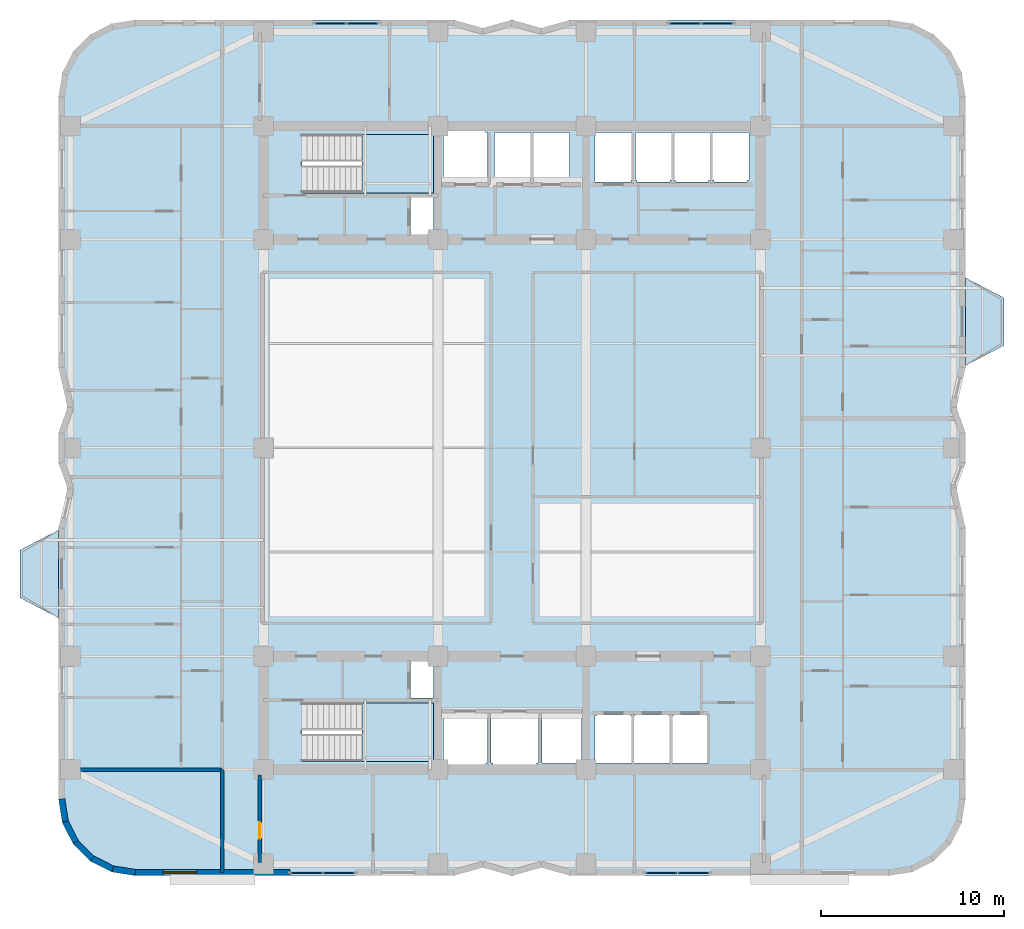
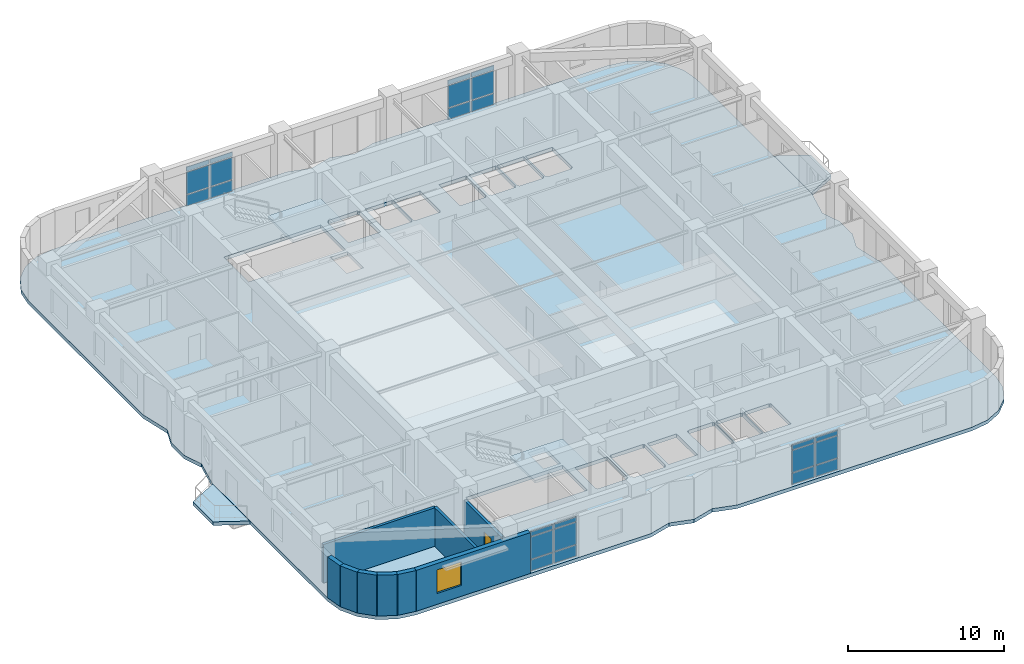
# One storey, part 6 of 15: 24 plates, 9 walls, 5 slabs, 1 door, 1 window, 2 openings, 6 elements without a shape of their own.
"""IFC4 building model written with IfcOpenShell, lengths in metres."""

from ifc_helpers import new_model, si_unit, direction, frame, frame_2d, origin, origin_2d, place, context, subcontext, project, spatial, polyline, rectangle, outline, extrude, material, layer, layer_set, type_object, element, fill, aggregate, save


model = new_model("IFC4")

# Units and contexts
model_context = context("Model", 3, precision=1e-05, world=origin(), true_north=direction((0.0, 1.0)))
body_context = subcontext(model_context, "Body", "Model", "MODEL_VIEW")
ifc_project = project(units=[si_unit("LENGTHUNIT", "METRE"), si_unit("AREAUNIT", "SQUARE_METRE"), si_unit("VOLUMEUNIT", "CUBIC_METRE"), si_unit("PLANEANGLEUNIT", "RADIAN"), si_unit("MASSUNIT", "GRAM", prefix="KILO")], contexts=[model_context])

# Site, building, storey
site_placement = place(None, origin())
site = spatial("IfcSite", under=ifc_project, at=site_placement, CompositionType="ELEMENT")
building_placement = place(site_placement, origin())
building = spatial("IfcBuilding", under=site, at=building_placement, Name="Svetorya Sky Lyceum", CompositionType="ELEMENT")
storey_placement = place(building_placement, frame((0.0, 0.0, 84.10009765625)))
storey = spatial("IfcBuildingStorey", under=building, at=storey_placement, Name="L20", CompositionType="ELEMENT", Elevation=84.10009765625)

# Curtain wall, plates
ifc_material_1 = material(Name="Thermally broken anodized aluminium and triple low-E glass", Category="aluminium")
curtain_wall_type = type_object("IfcCurtainWallType", Name="CW4-SKY-GALL", PredefinedType="NOTDEFINED", material=ifc_material_1)
curtain_wall_1_placement = place(storey_placement, origin())
curtain_wall_1 = element("IfcCurtainWall", 1, at=curtain_wall_1_placement, inside=storey, type_object=curtain_wall_type, Name="L20 Sky-Lobby Panorama Curtain Wall 6", PredefinedType="NOTDEFINED")
ifc_material_2 = material(Name="Acoustic laminated observatory triple glass", Category="glass")
ifc_layer_1 = layer(ifc_material_2, 0.055908203125)
ifc_layer_set_1 = layer_set([ifc_layer_1], Name="Acoustic laminated observatory triple glass")
plate_type = type_object("IfcPlateType", Name="CWP-GLZ-56", PredefinedType="CURTAIN_PANEL", material=ifc_layer_set_1)
plate_1_placement = place(storey_placement, frame((27.97119140625, 4.969970703125, 0.0732421875), z_axis=(0.0, 0.0, 1.0), x_axis=(1.0, 0.0, 0.0)))
plate_1 = element("IfcPlate", 2, at=plate_1_placement, type_object=plate_type, Name="CW-4 panel 1.1", PredefinedType="CURTAIN_PANEL", context=body_context, shape_type="SweptSolid", body=[
    extrude(rectangle(XDim=1.675537109375, YDim=0.055908203125, at=origin_2d()), origin(), (0.0, 0.0, 1.0), 0.8505859375),
])
plate_2_placement = place(storey_placement, frame((27.97119140625, 4.969970703125, 0.99609375), z_axis=(0.0, 0.0, 1.0), x_axis=(1.0, 0.0, 0.0)))
plate_2 = element("IfcPlate", 3, at=plate_2_placement, type_object=plate_type, Name="CW-4 panel 1.2", PredefinedType="CURTAIN_PANEL", context=body_context, shape_type="SweptSolid", body=[
    extrude(rectangle(XDim=1.675537109375, YDim=0.055908203125, at=origin_2d()), origin(), (0.0, 0.0, 1.0), 1.718017578125),
])
plate_3_placement = place(storey_placement, frame((27.97119140625, 4.969970703125, 2.78564453125), z_axis=(0.0, 0.0, 1.0), x_axis=(1.0, 0.0, 0.0)))
plate_3 = element("IfcPlate", 4, at=plate_3_placement, type_object=plate_type, Name="CW-4 panel 1.3", PredefinedType="CURTAIN_PANEL", context=body_context, shape_type="SweptSolid", body=[
    extrude(rectangle(XDim=1.675537109375, YDim=0.055908203125, at=origin_2d()), origin(), (0.0, 0.0, 1.0), 0.340576171875),
])
plate_4_placement = place(storey_placement, frame((29.728759765625, 4.969970703125, 0.0732421875), z_axis=(0.0, 0.0, 1.0), x_axis=(1.0, 0.0, 0.0)))
plate_4 = element("IfcPlate", 5, at=plate_4_placement, type_object=plate_type, Name="CW-4 panel 2.1", PredefinedType="CURTAIN_PANEL", context=body_context, shape_type="SweptSolid", body=[
    extrude(rectangle(XDim=1.675537109375, YDim=0.055908203125, at=origin_2d()), origin(), (0.0, 0.0, 1.0), 0.8505859375),
])
plate_5_placement = place(storey_placement, frame((29.728759765625, 4.969970703125, 0.99609375), z_axis=(0.0, 0.0, 1.0), x_axis=(1.0, 0.0, 0.0)))
plate_5 = element("IfcPlate", 6, at=plate_5_placement, type_object=plate_type, Name="CW-4 panel 2.2", PredefinedType="CURTAIN_PANEL", context=body_context, shape_type="SweptSolid", body=[
    extrude(rectangle(XDim=1.675537109375, YDim=0.055908203125, at=origin_2d()), origin(), (0.0, 0.0, 1.0), 1.718017578125),
])
plate_6_placement = place(storey_placement, frame((29.728759765625, 4.969970703125, 2.78564453125), z_axis=(0.0, 0.0, 1.0), x_axis=(1.0, 0.0, 0.0)))
plate_6 = element("IfcPlate", 7, at=plate_6_placement, type_object=plate_type, Name="CW-4 panel 2.3", PredefinedType="CURTAIN_PANEL", context=body_context, shape_type="SweptSolid", body=[
    extrude(rectangle(XDim=1.675537109375, YDim=0.055908203125, at=origin_2d()), origin(), (0.0, 0.0, 1.0), 0.340576171875),
])
aggregate(curtain_wall_1, [plate_1, plate_2, plate_3, plate_4, plate_5, plate_6])

curtain_wall_2_placement = place(storey_placement, origin())
curtain_wall_2 = element("IfcCurtainWall", 8, at=curtain_wall_2_placement, inside=storey, type_object=curtain_wall_type, Name="L20 Sky-Lobby Panorama Curtain Wall 11", PredefinedType="NOTDEFINED")
plate_7_placement = place(storey_placement, frame((47.371337890625, 4.969970703125, 0.0732421875), z_axis=(0.0, 0.0, 1.0), x_axis=(1.0, 0.0, 0.0)))
plate_7 = element("IfcPlate", 9, at=plate_7_placement, type_object=plate_type, Name="CW-4 panel 1.1", PredefinedType="CURTAIN_PANEL", context=body_context, shape_type="SweptSolid", body=[
    extrude(rectangle(XDim=1.675537109375, YDim=0.055908203125, at=origin_2d()), origin(), (0.0, 0.0, 1.0), 0.8505859375),
])
plate_8_placement = place(storey_placement, frame((47.371337890625, 4.969970703125, 0.99609375), z_axis=(0.0, 0.0, 1.0), x_axis=(1.0, 0.0, 0.0)))
plate_8 = element("IfcPlate", 10, at=plate_8_placement, type_object=plate_type, Name="CW-4 panel 1.2", PredefinedType="CURTAIN_PANEL", context=body_context, shape_type="SweptSolid", body=[
    extrude(rectangle(XDim=1.675537109375, YDim=0.055908203125, at=origin_2d()), origin(), (0.0, 0.0, 1.0), 1.718017578125),
])
plate_9_placement = place(storey_placement, frame((47.371337890625, 4.969970703125, 2.78564453125), z_axis=(0.0, 0.0, 1.0), x_axis=(1.0, 0.0, 0.0)))
plate_9 = element("IfcPlate", 11, at=plate_9_placement, type_object=plate_type, Name="CW-4 panel 1.3", PredefinedType="CURTAIN_PANEL", context=body_context, shape_type="SweptSolid", body=[
    extrude(rectangle(XDim=1.675537109375, YDim=0.055908203125, at=origin_2d()), origin(), (0.0, 0.0, 1.0), 0.340576171875),
])
plate_10_placement = place(storey_placement, frame((49.128662109375, 4.969970703125, 0.0732421875), z_axis=(0.0, 0.0, 1.0), x_axis=(1.0, 0.0, 0.0)))
plate_10 = element("IfcPlate", 12, at=plate_10_placement, type_object=plate_type, Name="CW-4 panel 2.1", PredefinedType="CURTAIN_PANEL", context=body_context, shape_type="SweptSolid", body=[
    extrude(rectangle(XDim=1.675537109375, YDim=0.055908203125, at=origin_2d()), origin(), (0.0, 0.0, 1.0), 0.8505859375),
])
plate_11_placement = place(storey_placement, frame((49.128662109375, 4.969970703125, 0.99609375), z_axis=(0.0, 0.0, 1.0), x_axis=(1.0, 0.0, 0.0)))
plate_11 = element("IfcPlate", 13, at=plate_11_placement, type_object=plate_type, Name="CW-4 panel 2.2", PredefinedType="CURTAIN_PANEL", context=body_context, shape_type="SweptSolid", body=[
    extrude(rectangle(XDim=1.675537109375, YDim=0.055908203125, at=origin_2d()), origin(), (0.0, 0.0, 1.0), 1.718017578125),
])
plate_12_placement = place(storey_placement, frame((49.128662109375, 4.969970703125, 2.78564453125), z_axis=(0.0, 0.0, 1.0), x_axis=(1.0, 0.0, 0.0)))
plate_12 = element("IfcPlate", 14, at=plate_12_placement, type_object=plate_type, Name="CW-4 panel 2.3", PredefinedType="CURTAIN_PANEL", context=body_context, shape_type="SweptSolid", body=[
    extrude(rectangle(XDim=1.675537109375, YDim=0.055908203125, at=origin_2d()), origin(), (0.0, 0.0, 1.0), 0.340576171875),
])
aggregate(curtain_wall_2, [plate_7, plate_8, plate_9, plate_10, plate_11, plate_12])

curtain_wall_3_placement = place(storey_placement, origin())
curtain_wall_3 = element("IfcCurtainWall", 15, at=curtain_wall_3_placement, inside=storey, type_object=curtain_wall_type, Name="L20 Sky-Lobby Panorama Curtain Wall 29", PredefinedType="NOTDEFINED")
plate_13_placement = place(storey_placement, frame((50.4287109375, 51.429931640625, 0.0732421875), z_axis=(0.0, 0.0, 1.0), x_axis=(-1.0, 0.0, 0.0)))
plate_13 = element("IfcPlate", 16, at=plate_13_placement, type_object=plate_type, Name="CW-4 panel 1.1", PredefinedType="CURTAIN_PANEL", context=body_context, shape_type="SweptSolid", body=[
    extrude(rectangle(XDim=1.675537109375, YDim=0.055908203125, at=origin_2d()), origin(), (0.0, 0.0, 1.0), 0.8505859375),
])
plate_14_placement = place(storey_placement, frame((50.4287109375, 51.429931640625, 0.99609375), z_axis=(0.0, 0.0, 1.0), x_axis=(-1.0, 0.0, 0.0)))
plate_14 = element("IfcPlate", 17, at=plate_14_placement, type_object=plate_type, Name="CW-4 panel 1.2", PredefinedType="CURTAIN_PANEL", context=body_context, shape_type="SweptSolid", body=[
    extrude(rectangle(XDim=1.675537109375, YDim=0.055908203125, at=origin_2d()), origin(), (0.0, 0.0, 1.0), 1.718017578125),
])
plate_15_placement = place(storey_placement, frame((50.4287109375, 51.429931640625, 2.78564453125), z_axis=(0.0, 0.0, 1.0), x_axis=(-1.0, 0.0, 0.0)))
plate_15 = element("IfcPlate", 18, at=plate_15_placement, type_object=plate_type, Name="CW-4 panel 1.3", PredefinedType="CURTAIN_PANEL", context=body_context, shape_type="SweptSolid", body=[
    extrude(rectangle(XDim=1.675537109375, YDim=0.055908203125, at=origin_2d()), origin(), (0.0, 0.0, 1.0), 0.340576171875),
])
plate_16_placement = place(storey_placement, frame((48.671142578125, 51.429931640625, 0.0732421875), z_axis=(0.0, 0.0, 1.0), x_axis=(-1.0, 0.0, 0.0)))
plate_16 = element("IfcPlate", 19, at=plate_16_placement, type_object=plate_type, Name="CW-4 panel 2.1", PredefinedType="CURTAIN_PANEL", context=body_context, shape_type="SweptSolid", body=[
    extrude(rectangle(XDim=1.675537109375, YDim=0.055908203125, at=origin_2d()), origin(), (0.0, 0.0, 1.0), 0.8505859375),
])
plate_17_placement = place(storey_placement, frame((48.671142578125, 51.429931640625, 0.99609375), z_axis=(0.0, 0.0, 1.0), x_axis=(-1.0, 0.0, 0.0)))
plate_17 = element("IfcPlate", 20, at=plate_17_placement, type_object=plate_type, Name="CW-4 panel 2.2", PredefinedType="CURTAIN_PANEL", context=body_context, shape_type="SweptSolid", body=[
    extrude(rectangle(XDim=1.675537109375, YDim=0.055908203125, at=origin_2d()), origin(), (0.0, 0.0, 1.0), 1.718017578125),
])
plate_18_placement = place(storey_placement, frame((48.671142578125, 51.429931640625, 2.78564453125), z_axis=(0.0, 0.0, 1.0), x_axis=(-1.0, 0.0, 0.0)))
plate_18 = element("IfcPlate", 21, at=plate_18_placement, type_object=plate_type, Name="CW-4 panel 2.3", PredefinedType="CURTAIN_PANEL", context=body_context, shape_type="SweptSolid", body=[
    extrude(rectangle(XDim=1.675537109375, YDim=0.055908203125, at=origin_2d()), origin(), (0.0, 0.0, 1.0), 0.340576171875),
])
aggregate(curtain_wall_3, [plate_13, plate_14, plate_15, plate_16, plate_17, plate_18])

curtain_wall_4_placement = place(storey_placement, origin())
curtain_wall_4 = element("IfcCurtainWall", 22, at=curtain_wall_4_placement, inside=storey, type_object=curtain_wall_type, Name="L20 Sky-Lobby Panorama Curtain Wall 34", PredefinedType="NOTDEFINED")
plate_19_placement = place(storey_placement, frame((31.02880859375, 51.429931640625, 0.0732421875), z_axis=(0.0, 0.0, 1.0), x_axis=(-1.0, 0.0, 0.0)))
plate_19 = element("IfcPlate", 23, at=plate_19_placement, type_object=plate_type, Name="CW-4 panel 1.1", PredefinedType="CURTAIN_PANEL", context=body_context, shape_type="SweptSolid", body=[
    extrude(rectangle(XDim=1.675537109375, YDim=0.055908203125, at=origin_2d()), origin(), (0.0, 0.0, 1.0), 0.8505859375),
])
plate_20_placement = place(storey_placement, frame((31.02880859375, 51.429931640625, 0.99609375), z_axis=(0.0, 0.0, 1.0), x_axis=(-1.0, 0.0, 0.0)))
plate_20 = element("IfcPlate", 24, at=plate_20_placement, type_object=plate_type, Name="CW-4 panel 1.2", PredefinedType="CURTAIN_PANEL", context=body_context, shape_type="SweptSolid", body=[
    extrude(rectangle(XDim=1.675537109375, YDim=0.055908203125, at=origin_2d()), origin(), (0.0, 0.0, 1.0), 1.718017578125),
])
plate_21_placement = place(storey_placement, frame((31.02880859375, 51.429931640625, 2.78564453125), z_axis=(0.0, 0.0, 1.0), x_axis=(-1.0, 0.0, 0.0)))
plate_21 = element("IfcPlate", 25, at=plate_21_placement, type_object=plate_type, Name="CW-4 panel 1.3", PredefinedType="CURTAIN_PANEL", context=body_context, shape_type="SweptSolid", body=[
    extrude(rectangle(XDim=1.675537109375, YDim=0.055908203125, at=origin_2d()), origin(), (0.0, 0.0, 1.0), 0.340576171875),
])
plate_22_placement = place(storey_placement, frame((29.271240234375, 51.429931640625, 0.0732421875), z_axis=(0.0, 0.0, 1.0), x_axis=(-1.0, 0.0, 0.0)))
plate_22 = element("IfcPlate", 26, at=plate_22_placement, type_object=plate_type, Name="CW-4 panel 2.1", PredefinedType="CURTAIN_PANEL", context=body_context, shape_type="SweptSolid", body=[
    extrude(rectangle(XDim=1.675537109375, YDim=0.055908203125, at=origin_2d()), origin(), (0.0, 0.0, 1.0), 0.8505859375),
])
plate_23_placement = place(storey_placement, frame((29.271240234375, 51.429931640625, 0.99609375), z_axis=(0.0, 0.0, 1.0), x_axis=(-1.0, 0.0, 0.0)))
plate_23 = element("IfcPlate", 27, at=plate_23_placement, type_object=plate_type, Name="CW-4 panel 2.2", PredefinedType="CURTAIN_PANEL", context=body_context, shape_type="SweptSolid", body=[
    extrude(rectangle(XDim=1.675537109375, YDim=0.055908203125, at=origin_2d()), origin(), (0.0, 0.0, 1.0), 1.718017578125),
])
plate_24_placement = place(storey_placement, frame((29.271240234375, 51.429931640625, 2.78564453125), z_axis=(0.0, 0.0, 1.0), x_axis=(-1.0, 0.0, 0.0)))
plate_24 = element("IfcPlate", 28, at=plate_24_placement, type_object=plate_type, Name="CW-4 panel 2.3", PredefinedType="CURTAIN_PANEL", context=body_context, shape_type="SweptSolid", body=[
    extrude(rectangle(XDim=1.675537109375, YDim=0.055908203125, at=origin_2d()), origin(), (0.0, 0.0, 1.0), 0.340576171875),
])
aggregate(curtain_wall_4, [plate_19, plate_20, plate_21, plate_22, plate_23, plate_24])

# Slabs
ifc_material_3 = material(Name="Concrete C40/50", Category="concrete")
ifc_layer_2 = layer(ifc_material_3, 0.280029296875)
ifc_layer_set_2 = layer_set([ifc_layer_2], Name="Concrete C40/50")
slab_type_1 = type_object("IfcSlabType", Name="SL-BAL-280", PredefinedType="FLOOR", material=ifc_layer_set_2)
slab_1_placement = place(storey_placement, frame((0.0, 0.0, -0.280029296875)))
element("IfcSlab", 29, at=slab_1_placement, inside=storey, type_object=slab_type_1, Name="L20 Chamfered Loggia Balcony BAL-W1", PredefinedType="FLOOR", context=body_context, shape_type="SweptSolid", body=[
    extrude(outline(polyline([(14.389892578125, 18.89990234375), (14.389892578125, 23.699951171875), (12.2900390625, 22.60009765625), (12.2900390625, 20.0), (14.389892578125, 18.89990234375)])), origin(), (0.0, 0.0, 1.0), 0.280029296875),
])
slab_2_placement = place(storey_placement, frame((0.0, 0.0, -0.280029296875)))
element("IfcSlab", 30, at=slab_2_placement, inside=storey, type_object=slab_type_1, Name="L20 Chamfered Loggia Balcony BAL-E1", PredefinedType="FLOOR", context=body_context, shape_type="SweptSolid", body=[
    extrude(outline(polyline([(64.010009765625, 32.699951171875), (66.110107421875, 33.800048828125), (66.110107421875, 36.39990234375), (64.010009765625, 37.5), (64.010009765625, 32.699951171875)])), origin(), (0.0, 0.0, 1.0), 0.280029296875),
])

# Stair, slab
stair_type_1 = type_object("IfcStairType", Name="STR-ST-S", PredefinedType="HALF_TURN_STAIR", material=ifc_material_3)
stair_1_placement = place(storey_placement, origin())
stair_1 = element("IfcStair", 31, at=stair_1_placement, inside=storey, type_object=stair_type_1, Name="L20 South Core Smoke-Free Exit Stair N2", PredefinedType="HALF_TURN_STAIR")
ifc_layer_3 = layer(ifc_material_3, 0.199951171875)
ifc_layer_set_3 = layer_set([ifc_layer_3], Name="Concrete C40/50")
slab_type_2 = type_object("IfcSlabType", Name="SL-STR-LAND-200", PredefinedType="LANDING", material=ifc_layer_set_3)
slab_3_placement = place(storey_placement, frame((0.0, 0.0, 1.89990234375)))
slab_3 = element("IfcSlab", 32, at=slab_3_placement, type_object=slab_type_2, Name="ST-S landing 1", PredefinedType="LANDING", context=body_context, shape_type="SweptSolid", body=[
    extrude(outline(polyline([(31.0, 11.050048828125), (34.89990234375, 11.050048828125), (34.89990234375, 14.25), (31.0, 14.25), (31.0, 11.050048828125)])), origin(), (0.0, 0.0, 1.0), 0.199951171875),
])
aggregate(stair_1, [slab_3])

stair_type_2 = type_object("IfcStairType", Name="STR-ST-N", PredefinedType="HALF_TURN_STAIR", material=ifc_material_3)
stair_2_placement = place(storey_placement, origin())
stair_2 = element("IfcStair", 33, at=stair_2_placement, inside=storey, type_object=stair_type_2, Name="L20 North Core Smoke-Free Exit Stair N3", PredefinedType="HALF_TURN_STAIR")
slab_4_placement = place(storey_placement, frame((0.0, 0.0, 1.89990234375)))
slab_4 = element("IfcSlab", 34, at=slab_4_placement, type_object=slab_type_2, Name="ST-N landing 1", PredefinedType="LANDING", context=body_context, shape_type="SweptSolid", body=[
    extrude(outline(polyline([(31.0, 42.14990234375), (34.89990234375, 42.14990234375), (34.89990234375, 45.35009765625), (31.0, 45.35009765625), (31.0, 42.14990234375)])), origin(), (0.0, 0.0, 1.0), 0.199951171875),
])
aggregate(stair_2, [slab_4])

# Slab
ifc_material_4 = material(Name="Concrete C50/60", Category="concrete")
ifc_layer_4 = layer(ifc_material_4, 0.280029296875)
ifc_layer_set_4 = layer_set([ifc_layer_4], Name="Concrete C50/60")
slab_type_3 = type_object("IfcSlabType", Name="SL-TWR-280", PredefinedType="FLOOR", material=ifc_layer_set_4)
slab_5_placement = place(storey_placement, frame((0.0, 0.0, -0.280029296875)))
element("IfcSlab", 35, at=slab_5_placement, inside=storey, type_object=slab_type_3, Name="L20 Structural Floor Slab", PredefinedType="FLOOR", context=body_context, shape_type="SweptSolid", body=[
    extrude(outline(polyline([(14.39990234375, 9.0), (14.605712890625, 7.7021484375), (15.2021484375, 6.53125), (16.13134765625, 5.60205078125), (17.302001953125, 5.005615234375), (18.60009765625, 4.800048828125), (36.0, 4.800048828125), (37.60009765625, 5.25), (39.199951171875, 4.800048828125), (40.800048828125, 5.25), (42.39990234375, 4.800048828125), (59.800048828125, 4.800048828125), (61.097900390625, 5.005615234375), (62.268798828125, 5.60205078125), (63.197998046875, 6.53125), (63.79443359375, 7.7021484375), (64.0, 9.0), (64.0, 23.800048828125), (63.5, 26.0), (64.0, 27.39990234375), (64.0, 29.0), (63.5, 30.39990234375), (64.0, 32.60009765625), (64.0, 47.39990234375), (63.79443359375, 48.697998046875), (63.197998046875, 49.86865234375), (62.268798828125, 50.7978515625), (61.097900390625, 51.394287109375), (59.800048828125, 51.60009765625), (42.39990234375, 51.60009765625), (40.800048828125, 51.14990234375), (39.199951171875, 51.60009765625), (37.60009765625, 51.14990234375), (36.0, 51.60009765625), (18.60009765625, 51.60009765625), (17.302001953125, 51.394287109375), (16.13134765625, 50.7978515625), (15.2021484375, 49.86865234375), (14.605712890625, 48.697998046875), (14.39990234375, 47.39990234375), (14.39990234375, 32.60009765625), (14.89990234375, 30.39990234375), (14.39990234375, 29.0), (14.39990234375, 27.39990234375), (14.89990234375, 26.0), (14.39990234375, 23.800048828125), (14.39990234375, 9.0)]), holes=[polyline([(35.550048828125, 13.64990234375), (37.75, 13.64990234375), (37.85009765625, 13.64990234375), (37.85009765625, 10.949951171875), (37.75, 10.949951171875), (37.75, 10.85009765625), (35.550048828125, 10.85009765625), (35.550048828125, 10.949951171875), (35.449951171875, 10.949951171875), (35.449951171875, 13.64990234375), (35.550048828125, 13.64990234375)]), polyline([(40.64990234375, 10.949951171875), (40.550048828125, 10.949951171875), (40.550048828125, 10.800048828125), (38.14990234375, 10.800048828125), (38.14990234375, 10.949951171875), (38.050048828125, 10.949951171875), (38.050048828125, 13.64990234375), (38.14990234375, 13.64990234375), (38.14990234375, 13.699951171875), (40.550048828125, 13.699951171875), (40.550048828125, 13.64990234375), (40.64990234375, 13.64990234375), (40.64990234375, 10.949951171875)]), polyline([(40.85009765625, 13.64990234375), (43.0, 13.64990234375), (43.0, 10.949951171875), (40.85009765625, 10.949951171875), (40.85009765625, 13.64990234375)]), polyline([(27.719970703125, 14.25), (34.89990234375, 14.25), (34.89990234375, 11.050048828125), (27.719970703125, 11.050048828125), (27.719970703125, 14.25)]), polyline([(33.64990234375, 16.580078125), (34.89990234375, 16.580078125), (34.89990234375, 14.52001953125), (33.64990234375, 14.52001953125), (33.64990234375, 16.580078125)]), polyline([(33.64990234375, 39.820068359375), (33.64990234375, 41.89990234375), (34.89990234375, 41.89990234375), (34.89990234375, 39.820068359375), (33.64990234375, 39.820068359375)]), polyline([(27.719970703125, 45.35009765625), (34.89990234375, 45.35009765625), (34.89990234375, 42.14990234375), (27.719970703125, 42.14990234375), (27.719970703125, 45.35009765625)]), polyline([(35.550048828125, 42.75), (35.449951171875, 42.75), (35.449951171875, 45.449951171875), (35.550048828125, 45.449951171875), (35.550048828125, 45.550048828125), (37.75, 45.550048828125), (37.75, 45.449951171875), (37.85009765625, 45.449951171875), (37.85009765625, 42.75), (37.75, 42.75), (35.550048828125, 42.75)]), polyline([(40.199951171875, 42.85009765625), (40.199951171875, 42.75), (38.39990234375, 42.75), (38.39990234375, 42.85009765625), (38.25, 42.85009765625), (38.25, 45.449951171875), (38.39990234375, 45.449951171875), (40.199951171875, 45.449951171875), (40.25, 45.449951171875), (40.25, 42.85009765625), (40.199951171875, 42.85009765625)]), polyline([(40.39990234375, 42.85009765625), (40.35009765625, 42.85009765625), (40.35009765625, 45.449951171875), (40.39990234375, 45.449951171875), (42.300048828125, 45.449951171875), (42.35009765625, 45.449951171875), (42.35009765625, 42.85009765625), (42.300048828125, 42.85009765625), (42.300048828125, 42.75), (40.39990234375, 42.75), (40.39990234375, 42.85009765625)]), polyline([(43.85009765625, 10.949951171875), (43.75, 10.949951171875), (43.75, 13.550048828125), (43.85009765625, 13.550048828125), (43.85009765625, 13.60009765625), (45.64990234375, 13.60009765625), (45.64990234375, 13.550048828125), (45.75, 13.550048828125), (45.75, 10.949951171875), (45.64990234375, 10.949951171875), (43.85009765625, 10.949951171875)]), polyline([(45.949951171875, 10.949951171875), (45.85009765625, 10.949951171875), (45.85009765625, 13.550048828125), (45.949951171875, 13.550048828125), (45.949951171875, 13.60009765625), (47.75, 13.60009765625), (47.75, 13.550048828125), (47.85009765625, 13.550048828125), (47.85009765625, 10.949951171875), (47.75, 10.949951171875), (45.949951171875, 10.949951171875)]), polyline([(49.85009765625, 13.550048828125), (49.949951171875, 13.550048828125), (49.949951171875, 10.949951171875), (49.85009765625, 10.949951171875), (48.050048828125, 10.949951171875), (47.949951171875, 10.949951171875), (47.949951171875, 13.550048828125), (48.050048828125, 13.550048828125), (48.050048828125, 13.60009765625), (49.85009765625, 13.60009765625), (49.85009765625, 13.550048828125)]), polyline([(43.75, 42.85009765625), (43.75, 45.449951171875), (45.699951171875, 45.449951171875), (45.75, 45.449951171875), (45.75, 42.85009765625), (45.699951171875, 42.85009765625), (45.699951171875, 42.75), (43.75, 42.75), (43.75, 42.85009765625)]), polyline([(46.050048828125, 42.85009765625), (45.949951171875, 42.85009765625), (45.949951171875, 45.449951171875), (46.050048828125, 45.449951171875), (47.85009765625, 45.449951171875), (47.949951171875, 45.449951171875), (47.949951171875, 42.85009765625), (47.85009765625, 42.85009765625), (47.85009765625, 42.75), (46.050048828125, 42.75), (46.050048828125, 42.85009765625)]), polyline([(48.14990234375, 42.85009765625), (48.050048828125, 42.85009765625), (48.050048828125, 45.449951171875), (48.14990234375, 45.449951171875), (49.949951171875, 45.449951171875), (50.050048828125, 45.449951171875), (50.050048828125, 42.85009765625), (49.949951171875, 42.85009765625), (49.949951171875, 42.75), (48.14990234375, 42.75), (48.14990234375, 42.85009765625)]), polyline([(50.25, 42.85009765625), (50.14990234375, 42.85009765625), (50.14990234375, 45.449951171875), (50.25, 45.449951171875), (52.050048828125, 45.449951171875), (52.14990234375, 45.449951171875), (52.14990234375, 42.85009765625), (52.050048828125, 42.85009765625), (52.050048828125, 42.75), (50.25, 42.75), (50.25, 42.85009765625)])]), origin(), (0.0, 0.0, 1.0), 0.280029296875),
])

# Walls
ifc_material_5 = material(Name="Putilovo limestone rainscreen on autoclaved cellular masonry", Category="masonry")
ifc_layer_5 = layer(ifc_material_5, 0.340087890625)
ifc_layer_set_5 = layer_set([ifc_layer_5], Name="Putilovo limestone rainscreen on autoclaved cellular masonry")
wall_type_1 = type_object("IfcWallType", Name="WL-EXT-340", PredefinedType="SOLIDWALL", material=ifc_layer_set_5)
wall_1_placement = place(storey_placement, frame((14.570068359375, 9.0, 0.0), z_axis=(0.0, 0.0, 1.0), x_axis=(0.156260864002, -0.98771582066, 0.0)))
element("IfcWall", 36, at=wall_1_placement, inside=storey, type_object=wall_type_1, Name="L20 Limestone Exterior Wall 1M", PredefinedType="SOLIDWALL", context=body_context, shape_type="SweptSolid", body=[
    extrude(rectangle(XDim=1.2607421875, YDim=0.340087890625, at=frame_2d((0.63037109375, 0.0))), origin(), (0.0, 0.0, 1.0), 3.199951171875),
])
wall_2_placement = place(storey_placement, frame((14.76708984375, 7.754638671875, 0.0), z_axis=(0.0, 0.0, 1.0), x_axis=(0.454015689056, -0.890993689142, 0.0)))
element("IfcWall", 37, at=wall_2_placement, inside=storey, type_object=wall_type_1, Name="L20 Limestone Exterior Wall 2M", PredefinedType="SOLIDWALL", context=body_context, shape_type="SweptSolid", body=[
    extrude(rectangle(XDim=1.260986328125, YDim=0.340087890625, at=frame_2d((0.63037109375, 0.0))), origin(), (0.0, 0.0, 1.0), 3.199951171875),
])
wall_3_placement = place(storey_placement, frame((15.339599609375, 6.631103515625, 0.0), z_axis=(0.0, 0.0, 1.0), x_axis=(0.707203598708, -0.707009950407, 0.0)))
element("IfcWall", 38, at=wall_3_placement, inside=storey, type_object=wall_type_1, Name="L20 Limestone Exterior Wall 3M", PredefinedType="SOLIDWALL", context=body_context, shape_type="SweptSolid", body=[
    extrude(rectangle(XDim=1.2607421875, YDim=0.340087890625, at=frame_2d((0.63037109375, 0.0))), origin(), (0.0, 0.0, 1.0), 3.199951171875),
])
for number, where, z_axis, x_axis, name in (
    (39, (16.231201171875, 5.73974609375, 0.0), (0.0, 0.0, 1.0), (0.890993689142, -0.454015689056, 0.0), "L20 Limestone Exterior Wall 4M"),
    (40, (17.354736328125, 5.167236328125, 0.0), (0.0, 0.0, 1.0), (0.987685918112, -0.15644975923, 0.0), "L20 Limestone Exterior Wall 5M"),
):
    element("IfcWall", number, at=place(storey_placement, frame(where, z_axis=z_axis, x_axis=x_axis)), inside=storey, type_object=wall_type_1, Name=name, PredefinedType="SOLIDWALL", context=body_context, shape_type="SweptSolid", body=[
        extrude(rectangle(XDim=1.260986328125, YDim=0.340087890625, at=frame_2d((0.63037109375, 0.0))), origin(), (0.0, 0.0, 1.0), 3.199951171875),
    ])

# Wall, opening, window
wall_4_placement = place(storey_placement, frame((18.60009765625, 4.969970703125, 0.0), z_axis=(0.0, 0.0, 1.0), x_axis=(1.0, 0.0, 0.0)))
wall_4 = element("IfcWall", 41, at=wall_4_placement, inside=storey, type_object=wall_type_1, Name="L20 Limestone Exterior Wall 6A", PredefinedType="SOLIDWALL", context=body_context, shape_type="SweptSolid", body=[
    extrude(rectangle(XDim=8.449951171875, YDim=0.340087890625, at=frame_2d((4.22509765625, 0.0))), origin(), (0.0, 0.0, 1.0), 3.199951171875),
])
opening_1_placement = place(wall_4_placement, frame((1.53759765625, 0.0, 0.85009765625)))
opening_1 = element("IfcOpeningElement", 42, at=opening_1_placement, cuts=wall_4, Name="Opening W-R1", PredefinedType="OPENING", context=body_context, shape_type="SweptSolid", body=[
    extrude(rectangle(XDim=1.800048828125, YDim=1.85009765625, at=frame_2d((0.89990234375, 0.925048828125))), frame((0.0, 0.179931640625, 0.0), z_axis=(0.0, -1.0, 0.0), x_axis=(1.0, 0.0, 0.0)), (0.0, 0.0, 1.0), 0.360107421875),
])
ifc_material_6 = material(Name="Thermally broken aluminium frame with triple low-E glazing", Category="aluminium")
window_type = type_object("IfcWindowType", Name="WN-RES-180", PartitioningType="DOUBLE_PANEL_VERTICAL", PredefinedType="WINDOW", material=ifc_material_6)
window_placement = place(opening_1_placement, origin())
window = element("IfcWindow", 43, at=window_placement, inside=storey, type_object=window_type, Name="L20 Facade Window W-R1.6A.1", OverallHeight=1.85009765625, OverallWidth=1.800048828125, PartitioningType="SINGLE_PANEL", PredefinedType="WINDOW", context=body_context, shape_type="SweptSolid", body=[
    extrude(rectangle(XDim=1.800048828125, YDim=1.85009765625, at=frame_2d((0.89990234375, 0.925048828125))), frame((0.0, 0.030029296875, 0.0), z_axis=(0.0, -1.0, 0.0), x_axis=(1.0, 0.0, 0.0)), (0.0, 0.0, 1.0), 0.06005859375),
])
fill(opening_1, window)

# Walls
ifc_material_7 = material(Name="Autoclaved cellular masonry blockwork with gypsum plaster", Category="masonry")
ifc_layer_6 = layer(ifc_material_7, 0.199951171875)
ifc_layer_set_6 = layer_set([ifc_layer_6], Name="Autoclaved cellular masonry blockwork with gypsum plaster")
wall_type_2 = type_object("IfcWallType", Name="WL-PART-200", PredefinedType="PARTITIONING", material=ifc_layer_set_6)
wall_5_placement = place(storey_placement, frame((14.989990234375, 10.60009765625, 0.0), z_axis=(0.0, 0.0, 1.0), x_axis=(1.0, 0.0, 0.0)))
element("IfcWall", 44, at=wall_5_placement, inside=storey, type_object=wall_type_2, Name="L20 Interior Partition W-CAP-S", PredefinedType="PARTITIONING", context=body_context, shape_type="SweptSolid", body=[
    extrude(rectangle(XDim=8.360107421875, YDim=0.199951171875, at=frame_2d((4.18017578125, 0.0))), origin(), (0.0, 0.0, 1.0), 3.02978515625),
])
wall_6_placement = place(storey_placement, frame((23.35009765625, 4.969970703125, 0.0), z_axis=(0.0, 0.0, 1.0), x_axis=(0.0, 1.0, 0.0)))
element("IfcWall", 45, at=wall_6_placement, inside=storey, type_object=wall_type_2, Name="L20 Interior Partition WC-SW-END", PredefinedType="PARTITIONING", context=body_context, shape_type="SweptSolid", body=[
    extrude(rectangle(XDim=5.630126953125, YDim=0.199951171875, at=frame_2d((2.81494140625, 0.0))), origin(), (0.0, 0.0, 1.0), 3.02978515625),
])

# Wall, opening, door
wall_7_placement = place(storey_placement, frame((25.39990234375, 5.52001953125, 0.0), z_axis=(0.0, 0.0, 1.0), x_axis=(0.0, 1.0, 0.0)))
wall_7 = element("IfcWall", 46, at=wall_7_placement, inside=storey, type_object=wall_type_2, Name="L20 Interior Partition S-EW", PredefinedType="PARTITIONING", context=body_context, shape_type="SweptSolid", body=[
    extrude(rectangle(XDim=4.780029296875, YDim=0.199951171875, at=frame_2d((2.39013671875, 0.0))), origin(), (0.0, 0.0, 1.0), 3.02978515625),
])
opening_2_placement = place(wall_7_placement, frame((1.300048828125, 0.0, 0.0)))
opening_2 = element("IfcOpeningElement", 47, at=opening_2_placement, cuts=wall_7, Name="Opening D-RM1", PredefinedType="OPENING", context=body_context, shape_type="SweptSolid", body=[
    extrude(rectangle(XDim=0.89990234375, YDim=2.10009765625, at=frame_2d((0.449951171875, 1.050048828125))), frame((0.0, 0.10986328125, 0.0), z_axis=(0.0, -1.0, 0.0), x_axis=(1.0, 0.0, 0.0)), (0.0, 0.0, 1.0), 0.219970703125),
])
ifc_material_8 = material(Name="Lacquered birch veneer internal door")
door_type = type_object("IfcDoorType", Name="DR-INT-900", OperationType="SINGLE_SWING_LEFT", PredefinedType="DOOR", material=ifc_material_8)
door_placement = place(opening_2_placement, origin())
door = element("IfcDoor", 48, at=door_placement, inside=storey, type_object=door_type, Name="L20 South Study Door", OperationType="SINGLE_SWING_LEFT", OverallHeight=2.10009765625, OverallWidth=0.89990234375, PredefinedType="DOOR", context=body_context, shape_type="SweptSolid", body=[
    extrude(rectangle(XDim=0.89990234375, YDim=2.10009765625, at=frame_2d((0.449951171875, 1.050048828125))), frame((0.0, 0.02490234375, 0.0), z_axis=(0.0, -1.0, 0.0), x_axis=(1.0, 0.0, 0.0)), (0.0, 0.0, 1.0), 0.050048828125),
])
fill(opening_2, door)

save(model, "model.ifc")
